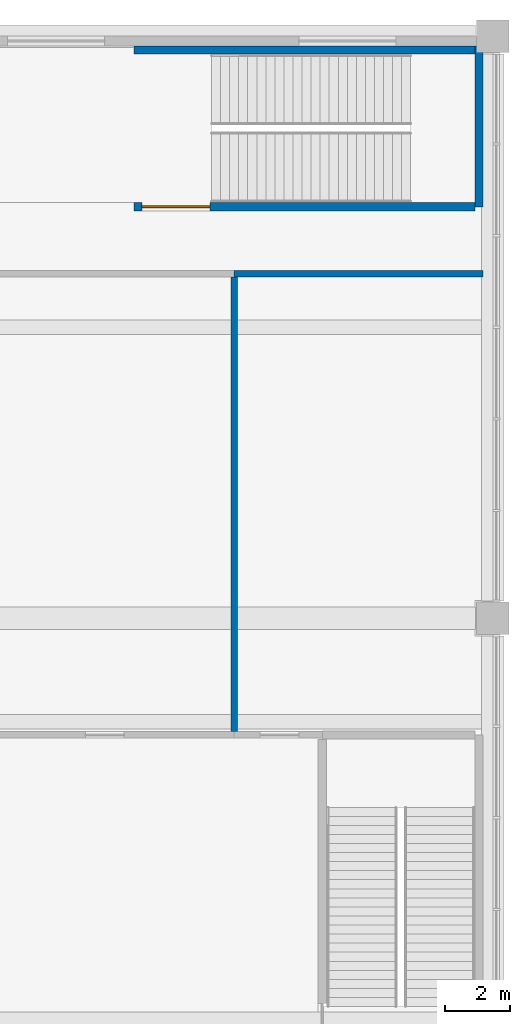
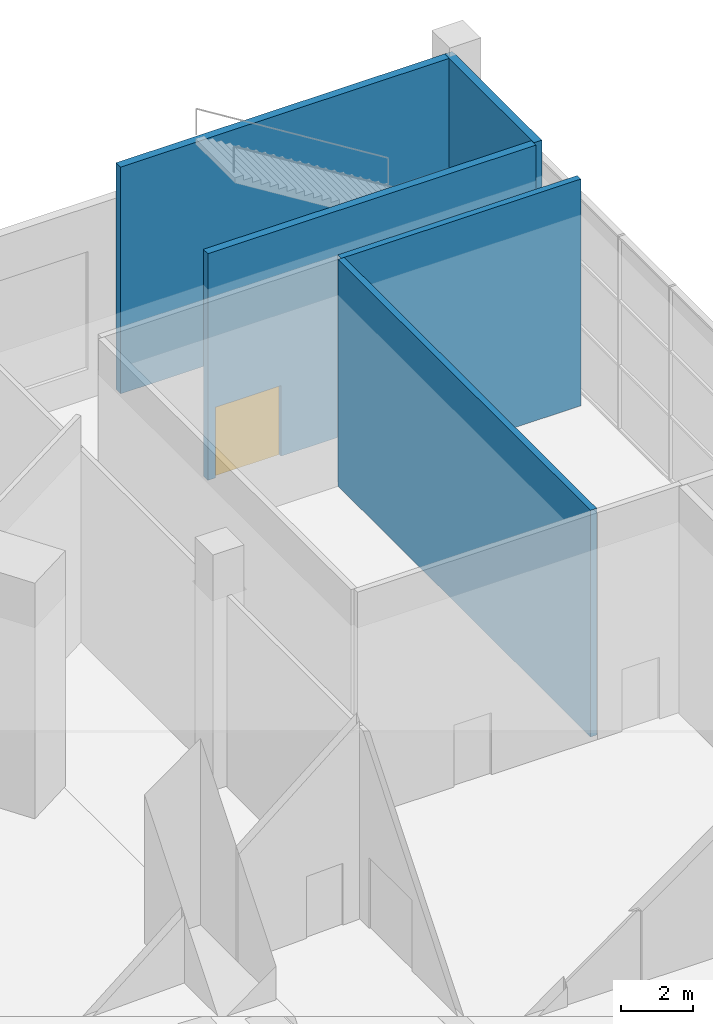
# One storey, part 11 of 15: 5 walls, 1 door, 1 opening.
"""IFC4 building model written with IfcOpenShell, lengths in metres."""

import ifcopenshell
import ifcopenshell.guid

model = None  # the IFC model being written
_history = None  # IfcOwnerHistory: only IFC2X3 demands one
_inside = {}  # id of a spatial element -> (the spatial element, [elements in it])
_under = {}  # id of a project, library or spatial element -> (it, [spatial elements below it])
_declared = {}  # id of a project -> (the project, [libraries it declares])
_typed = {}  # id of a type object -> (the type object, [elements of that type])
_made_of = {}  # id of a material, layer set ... -> (it, [elements and type objects made of it])


def new_model(schema):
    """Start an empty IFC model of exactly this schema.

    Asked for "IFC4X3", IfcOpenShell would pick the latest addendum, in which some entities
    have other attributes; the version numbers below select the first issue.
    IFC2X3 requires an IfcOwnerHistory on every rooted entity: one is made here for all.
    """
    global model, _history
    if schema == "IFC4X3":
        model = ifcopenshell.file(schema_version=(4, 3, 0, 0))
    else:
        model = ifcopenshell.file(schema=schema)
    _inside.clear()
    _under.clear()
    _declared.clear()
    _typed.clear()
    _made_of.clear()
    _history = None
    if model.schema == "IFC2X3":
        org = make("IfcOrganization", Name="unknown")
        user = make(
            "IfcPersonAndOrganization",
            ThePerson=make("IfcPerson", FamilyName="unknown"),
            TheOrganization=org,
        )
        app = make(
            "IfcApplication",
            ApplicationDeveloper=org,
            Version="unknown",
            ApplicationFullName="unknown",
            ApplicationIdentifier="unknown",
        )
        _history = make(
            "IfcOwnerHistory",
            OwningUser=user,
            OwningApplication=app,
            ChangeAction="ADDED",
            CreationDate=0,
        )
    return model


def make(cls, **values):
    """One entity of the class cls with the attributes given. An attribute that is None is left unset."""
    return model.create_entity(
        cls, **{name: value for name, value in values.items() if value is not None}
    )


def rooted(cls, **values):
    """An entity with a GlobalId (a new one), such as an element, a storey or a relation."""
    return make(cls, GlobalId=ifcopenshell.guid.new(), OwnerHistory=_history, **values)


def si_unit(unit_type, name, prefix=None):
    """IfcSIUnit, for example si_unit("LENGTHUNIT", "METRE", prefix="MILLI")."""
    return make("IfcSIUnit", UnitType=unit_type, Prefix=prefix, Name=name)


def assignment(units):
    """IfcUnitAssignment: the units of a project."""
    return None if units is None else make("IfcUnitAssignment", Units=units)


def point(xyz):
    """IfcCartesianPoint."""
    return None if xyz is None else make("IfcCartesianPoint", Coordinates=xyz)


def direction(xyz):
    """IfcDirection."""
    return None if xyz is None else make("IfcDirection", DirectionRatios=xyz)


def frame(location, z_axis=None, x_axis=None):
    """IfcAxis2Placement3D, a coordinate frame: its origin and axes. An axis left out is left unset."""
    return make(
        "IfcAxis2Placement3D",
        Location=point(location),
        Axis=direction(z_axis),
        RefDirection=direction(x_axis),
    )


def frame_2d(location, x_axis=None):
    """IfcAxis2Placement2D, a coordinate frame in the plane: its origin and x axis."""
    return make(
        "IfcAxis2Placement2D", Location=point(location), RefDirection=direction(x_axis)
    )


def origin():
    """The frame at (0, 0, 0) with its axes left unset."""
    return frame((0.0, 0.0, 0.0))


def place(relative_to, where):
    """IfcLocalPlacement: puts the frame where relative to a parent placement (None: the world)."""
    return make(
        "IfcLocalPlacement", PlacementRelTo=relative_to, RelativePlacement=where
    )


def context(
    kind, dimensions, precision=None, world=None, true_north=None, identifier=None
):
    """IfcGeometricRepresentationContext, for example the 3D "Model" context."""
    return make(
        "IfcGeometricRepresentationContext",
        ContextIdentifier=identifier,
        ContextType=kind,
        CoordinateSpaceDimension=dimensions,
        Precision=precision,
        WorldCoordinateSystem=world,
        TrueNorth=true_north,
    )


def subcontext(parent, identifier, kind, view, scale=None):
    """IfcGeometricRepresentationSubContext, for example "Body" below "Model"."""
    return make(
        "IfcGeometricRepresentationSubContext",
        ContextIdentifier=identifier,
        ContextType=kind,
        ParentContext=parent,
        TargetScale=scale,
        TargetView=view,
    )


def project(units=None, contexts=None):
    """IfcProject with its units and contexts."""
    return rooted(
        "IfcProject",
        Name="project",
        RepresentationContexts=contexts,
        UnitsInContext=assignment(units),
    )


def spatial(cls, under=None, at=None, **own):
    """A site, building, storey or space (cls), placed at a placement, below another one or the project."""
    s = rooted(cls, ObjectPlacement=at, **own)
    if under is not None:
        _under.setdefault(under.id(), (under, []))[1].append(s)
    return s


def profile(cls, at=None, kind="AREA", **sizes):
    """A parametric profile (cls). Its sizes go by their IFC names, for example OverallWidth=200.0."""
    return make(cls, ProfileType=kind, Position=at, **sizes)


def rectangle(**sizes):
    """IfcRectangleProfileDef."""
    return profile("IfcRectangleProfileDef", **sizes)


def extrude(swept, where, along, depth):
    """IfcExtrudedAreaSolid: the profile swept, set in the frame where, extruded along a direction by depth."""
    return make(
        "IfcExtrudedAreaSolid",
        SweptArea=swept,
        Position=where,
        ExtrudedDirection=direction(along),
        Depth=depth,
    )


def shape(context_of_items, identifier, shape_type, items):
    """IfcShapeRepresentation: the items that make up one representation, for example the "Body"."""
    return make(
        "IfcShapeRepresentation",
        ContextOfItems=context_of_items,
        RepresentationIdentifier=identifier,
        RepresentationType=shape_type,
        Items=items,
    )


def material(Name=None, Category=None):
    """IfcMaterial."""
    return make("IfcMaterial", Name=Name, Category=Category)


def layer(
    of_material, thickness, ventilated=None, Name=None, Category=None, Priority=None
):
    """IfcMaterialLayer: one layer of a wall or slab, of a material (None: an air gap)."""
    return make(
        "IfcMaterialLayer",
        Material=of_material,
        LayerThickness=thickness,
        IsVentilated=ventilated,
        Name=Name,
        Category=Category,
        Priority=Priority,
    )


def layer_set(layers, Name=None):
    """IfcMaterialLayerSet."""
    return make("IfcMaterialLayerSet", MaterialLayers=layers, LayerSetName=Name)


def made_of(thing, what):
    """Note that an element or type object is made of a material, layer set ...; save() writes the relation."""
    if what is not None:
        _made_of.setdefault(what.id(), (what, []))[1].append(thing)
    return thing


def type_object(cls, material=None, **own):
    """A type object (cls), such as IfcWallType, which elements share."""
    return made_of(rooted(cls, **own), material)


def element(
    cls,
    number,
    at=None,
    inside=None,
    cuts=None,
    type_object=None,
    material=None,
    context=None,
    identifier="Body",
    shape_type=None,
    held_by="IfcProductDefinitionShape",
    body=None,
    shapes=None,
    **own,
):
    """One element of the class cls, such as IfcWall. Its Tag is "e" and its number.

    at: its placement. inside: the storey or other place that contains it. cuts: it is an
    opening in that element (IfcRelVoidsElement). A single representation is given by context,
    identifier, shape_type and body (its items); several are given by shapes. held_by: the class
    of the entity that holds the representations. save() writes the other relations.
    """
    e = rooted(cls, Tag="e%d" % number, ObjectPlacement=at, **own)
    if body is not None:
        shapes = [shape(context, identifier, shape_type, body)]
    if shapes is not None:
        e.Representation = make(held_by, Representations=shapes)
    if inside is not None:
        _inside.setdefault(inside.id(), (inside, []))[1].append(e)
    if cuts is not None:
        rooted(
            "IfcRelVoidsElement", RelatingBuildingElement=cuts, RelatedOpeningElement=e
        )
    if type_object is not None:
        _typed.setdefault(type_object.id(), (type_object, []))[1].append(e)
    return made_of(e, material)


def fill(opening, filler):
    """IfcRelFillsElement: the door or window that sits in an opening."""
    return rooted(
        "IfcRelFillsElement",
        RelatingOpeningElement=opening,
        RelatedBuildingElement=filler,
    )


def aggregate(whole, parts):
    """IfcRelAggregates: a whole, such as a stair, and the parts it consists of."""
    return rooted("IfcRelAggregates", RelatingObject=whole, RelatedObjects=parts)


def save(model, path):
    """Write the relations noted so far, then the file.

    IfcRelAggregates (storeys below a building ...), IfcRelContainedInSpatialStructure (elements
    in a storey), IfcRelDefinesByType, IfcRelAssociatesMaterial and IfcRelDeclares: one each for
    every whole, place, type object, material and project.
    """
    for whole, parts in _under.values():
        aggregate(whole, parts)
    for where, things in _inside.values():
        rooted(
            "IfcRelContainedInSpatialStructure",
            RelatedElements=things,
            RelatingStructure=where,
        )
    for kind, things in _typed.values():
        rooted("IfcRelDefinesByType", RelatedObjects=things, RelatingType=kind)
    for what, things in _made_of.values():
        rooted("IfcRelAssociatesMaterial", RelatedObjects=things, RelatingMaterial=what)
    for by, libraries in _declared.values():
        rooted("IfcRelDeclares", RelatingContext=by, RelatedDefinitions=libraries)
    model.write(path)


model = new_model("IFC4")

# Units and contexts
model_context = context("Model", 3, precision=1e-05, world=origin(), true_north=direction((0.0, 1.0)))
body_context = subcontext(model_context, "Body", "Model", "MODEL_VIEW")
ifc_project = project(units=[si_unit("LENGTHUNIT", "METRE"), si_unit("AREAUNIT", "SQUARE_METRE"), si_unit("VOLUMEUNIT", "CUBIC_METRE"), si_unit("PLANEANGLEUNIT", "RADIAN"), si_unit("MASSUNIT", "GRAM", prefix="KILO")], contexts=[model_context])

# Site, building, storey
site_placement = place(None, origin())
site = spatial("IfcSite", under=ifc_project, at=site_placement, CompositionType="ELEMENT")
building_placement = place(site_placement, origin())
building = spatial("IfcBuilding", under=site, at=building_placement, Name="Vanh Sen Convention Tower", CompositionType="ELEMENT")
storey_placement = place(building_placement, frame((0.0, 0.0, 13.0)))
storey = spatial("IfcBuildingStorey", under=building, at=storey_placement, Name="L02", CompositionType="ELEMENT", Elevation=13.0)

# Wall, opening, door
ifc_material_1 = material(Name="Concrete C40/50", Category="concrete")
ifc_layer_1 = layer(ifc_material_1, 0.25)
ifc_layer_set_1 = layer_set([ifc_layer_1], Name="Concrete C40/50")
wall_type_1 = type_object("IfcWallType", Name="Concrete wall 250 REI 180", PredefinedType="SOLIDWALL", material=ifc_layer_set_1)
wall_1_placement = place(storey_placement, frame((44.43994140625, 21.72509765625, 0.0), z_axis=(0.0, 0.0, 1.0), x_axis=(-1.0, 0.0, 0.0)))
wall_1 = element("IfcWall", 1, at=wall_1_placement, inside=storey, type_object=wall_type_1, Name="Fire-resisting wall L02-110", PredefinedType="SOLIDWALL", context=body_context, shape_type="SweptSolid", body=[
    extrude(rectangle(XDim=10.5400390625, YDim=0.25, at=frame_2d((5.27001953125, 0.0))), origin(), (0.0, 0.0, 1.0), 7.699951171875),
])
opening_placement = place(wall_1_placement, frame((8.18994140625, 0.0, 0.0)))
opening = element("IfcOpeningElement", 2, at=opening_placement, cuts=wall_1, Name="Opening D02126", PredefinedType="OPENING", context=body_context, shape_type="SweptSolid", body=[
    extrude(rectangle(XDim=2.10009765625, YDim=2.39990234375, at=frame_2d((1.050048828125, 1.199951171875))), frame((0.0, 0.135009765625, 0.0), z_axis=(0.0, -1.0, 0.0), x_axis=(1.0, 0.0, 0.0)), (0.0, 0.0, 1.0), 0.27001953125),
])
ifc_material_2 = material(Name="Steel S355", Category="steel")
door_type = type_object("IfcDoorType", Name="Stair door 2100 EI 60", OperationType="DOUBLE_DOOR_SINGLE_SWING", PredefinedType="DOOR", material=ifc_material_2)
door_placement = place(opening_placement, frame((2.10009765625, 0.0, 0.0), z_axis=(0.0, 0.0, 1.0), x_axis=(-1.0, 0.0, 0.0)))
door = element("IfcDoor", 3, at=door_placement, inside=storey, type_object=door_type, Name="Stair door D02126", OperationType="DOUBLE_DOOR_SINGLE_SWING", OverallHeight=2.39990234375, OverallWidth=2.10009765625, PredefinedType="DOOR", context=body_context, shape_type="SweptSolid", body=[
    extrude(rectangle(XDim=2.10009765625, YDim=2.39990234375, at=frame_2d((1.050048828125, 1.199951171875))), frame((0.0, 0.02490234375, 0.0), z_axis=(0.0, -1.0, 0.0), x_axis=(1.0, 0.0, 0.0)), (0.0, 0.0, 1.0), 0.050048828125),
])
fill(opening, door)

# Walls
wall_2_placement = place(storey_placement, frame((44.574951171875, 21.72509765625, 0.0), z_axis=(0.0, 0.0, 1.0), x_axis=(0.0, 1.0, 0.0)))
element("IfcWall", 4, at=wall_2_placement, inside=storey, type_object=wall_type_1, Name="Stair enclosure wall PS1 L02", PredefinedType="SOLIDWALL", context=body_context, shape_type="SweptSolid", body=[
    extrude(rectangle(XDim=4.974853515625, YDim=0.25, at=frame_2d((2.4873046875, 0.0))), origin(), (0.0, 0.0, 1.0), 7.699951171875),
])
wall_3_placement = place(storey_placement, frame((44.449951171875, 26.574951171875, 0.0), z_axis=(0.0, 0.0, 1.0), x_axis=(-1.0, 0.0, 0.0)))
element("IfcWall", 5, at=wall_3_placement, inside=storey, type_object=wall_type_1, Name="Stair enclosure wall PS1 L02", PredefinedType="SOLIDWALL", context=body_context, shape_type="SweptSolid", body=[
    extrude(rectangle(XDim=10.550048828125, YDim=0.25, at=frame_2d((5.27490234375, 0.0))), origin(), (0.0, 0.0, 1.0), 7.699951171875),
])
ifc_material_3 = material(Name="Acoustic operable panels on an overhead track", Category="gypsum")
ifc_layer_2 = layer(ifc_material_3, 0.199951171875)
ifc_layer_set_2 = layer_set([ifc_layer_2], Name="Acoustic operable panels on an overhead track")
wall_type_2 = type_object("IfcWallType", Name="Operable partition 200 EI 120", PredefinedType="MOVABLE", material=ifc_layer_set_2)
wall_4_placement = place(storey_placement, frame((37.0, 19.550048828125, 0.0), z_axis=(0.0, 0.0, 1.0), x_axis=(0.0, -1.0, 0.0)))
element("IfcWall", 6, at=wall_4_placement, inside=storey, type_object=wall_type_2, Name="Operable partition L02-093", PredefinedType="MOVABLE", context=body_context, shape_type="SweptSolid", body=[
    extrude(rectangle(XDim=14.050048828125, YDim=0.199951171875, at=frame_2d((7.02490234375, 0.0))), origin(), (0.0, 0.0, 1.0), 7.699951171875),
])
ifc_material_4 = material(Name="Concrete C20/25", Category="concrete")
ifc_layer_3 = layer(ifc_material_4, 0.199951171875)
ifc_layer_set_3 = layer_set([ifc_layer_3], Name="Concrete C20/25")
wall_type_3 = type_object("IfcWallType", Name="Partition 200 EI 120", PredefinedType="PARTITIONING", material=ifc_layer_set_3)
wall_5_placement = place(storey_placement, frame((44.699951171875, 19.64990234375, 0.0), z_axis=(0.0, 0.0, 1.0), x_axis=(-1.0, 0.0, 0.0)))
element("IfcWall", 7, at=wall_5_placement, inside=storey, type_object=wall_type_3, Name="Partition L02-097", PredefinedType="PARTITIONING", context=body_context, shape_type="SweptSolid", body=[
    extrude(rectangle(XDim=7.699951171875, YDim=0.199951171875, at=frame_2d((3.85009765625, 0.0))), origin(), (0.0, 0.0, 1.0), 7.699951171875),
])

save(model, "model.ifc")
